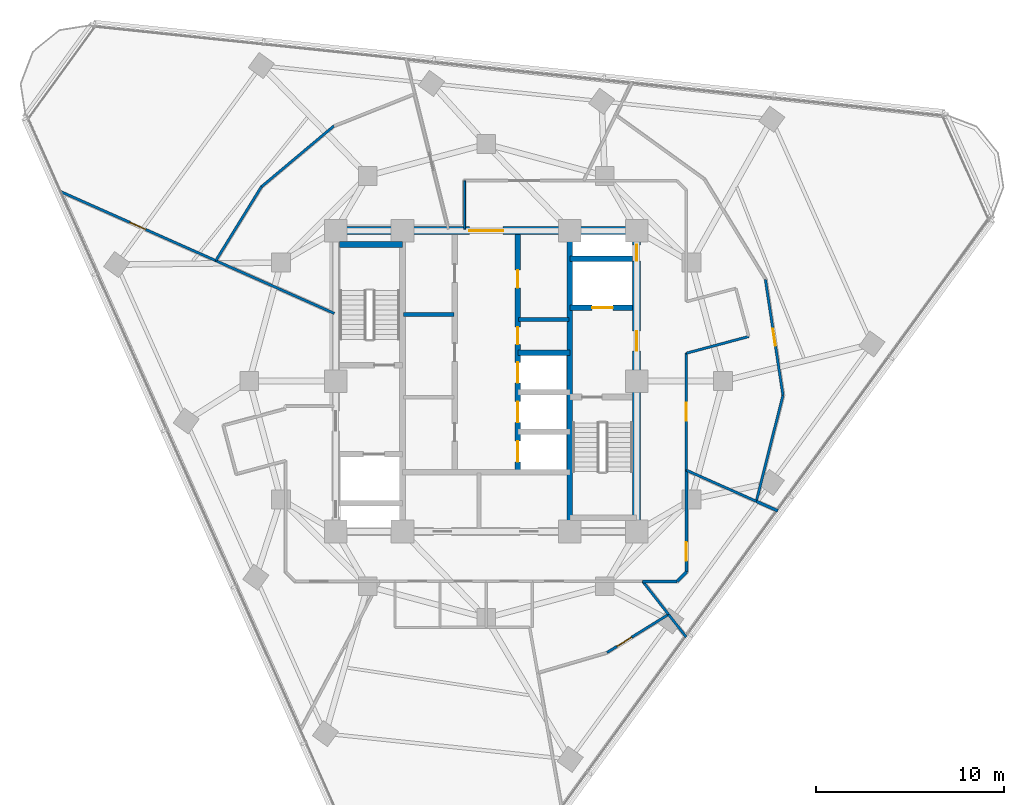
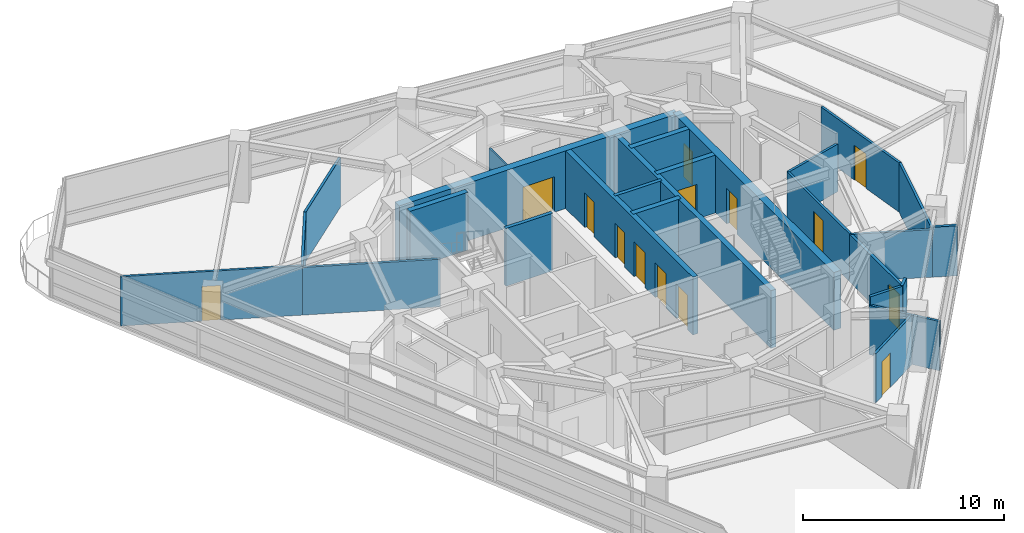
# One storey, part 9 of 15: 27 walls, 14 doors, 14 openings.
"""IFC4 building model written with IfcOpenShell, lengths in metres."""

from ifc_helpers import new_model, si_unit, direction, frame, frame_2d, origin, place, context, subcontext, project, spatial, rectangle, extrude, material, layer, layer_set, type_object, element, fill, save


model = new_model("IFC4")

# Units and contexts
model_context = context("Model", 3, precision=1e-05, world=origin(), true_north=direction((0.0, 1.0)))
body_context = subcontext(model_context, "Body", "Model", "MODEL_VIEW")
ifc_project = project(units=[si_unit("LENGTHUNIT", "METRE"), si_unit("AREAUNIT", "SQUARE_METRE"), si_unit("VOLUMEUNIT", "CUBIC_METRE"), si_unit("PLANEANGLEUNIT", "RADIAN"), si_unit("MASSUNIT", "GRAM", prefix="KILO")], contexts=[model_context])

# Site, building, storey
site_placement = place(None, origin())
site = spatial("IfcSite", under=ifc_project, at=site_placement, CompositionType="ELEMENT")
building_placement = place(site_placement, origin())
building = spatial("IfcBuilding", under=site, at=building_placement, Name="Terralouvre Media Tower", CompositionType="ELEMENT")
storey_placement = place(building_placement, frame((0.0, 0.0, 230.0)))
storey = spatial("IfcBuildingStorey", under=building, at=storey_placement, Name="L59", CompositionType="ELEMENT", Elevation=230.0)

# Walls
ifc_material_1 = material(Name="Concrete C50/60", Category="concrete")
ifc_layer_1 = layer(ifc_material_1, 0.300048828125, Name="Core Internal Shaft Wall CW-300")
ifc_layer_set_1 = layer_set([ifc_layer_1], Name="Concrete C50/60")
wall_type_1 = type_object("IfcWallType", Name="Core Internal Shaft Wall CW-300", PredefinedType="SHEAR", material=ifc_layer_set_1)
wall_1_placement = place(storey_placement, frame((4.449951171875, -7.7900390625, 0.0), z_axis=(0.0, 0.0, 1.0), x_axis=(0.0, 1.0, 0.0)))
element("IfcWall", 1, at=wall_1_placement, inside=storey, type_object=wall_type_1, Name="L59 Core Shaft Wall SPE", PredefinedType="SHEAR", context=body_context, shape_type="SweptSolid", body=[
    extrude(rectangle(XDim=15.580078125, YDim=0.300048828125, at=frame_2d((7.7900390625, 0.0))), origin(), (0.0, 0.0, 1.0), 3.5),
])
wall_2_placement = place(storey_placement, frame((-7.7900390625, 7.260009765625, 0.0), z_axis=(0.0, 0.0, 1.0), x_axis=(1.0, 0.0, 0.0)))
element("IfcWall", 2, at=wall_2_placement, inside=storey, type_object=wall_type_1, Name="L59 Core Shaft Wall ST1F", PredefinedType="SHEAR", context=body_context, shape_type="SweptSolid", body=[
    extrude(rectangle(XDim=3.340087890625, YDim=0.300048828125, at=frame_2d((1.669921875, 0.0))), origin(), (0.0, 0.0, 1.0), 3.5),
])

# Wall, opening, door
wall_3_placement = place(storey_placement, frame((4.449951171875, 3.89990234375, 0.0), z_axis=(0.0, 0.0, 1.0), x_axis=(1.0, 0.0, 0.0)))
wall_3 = element("IfcWall", 3, at=wall_3_placement, inside=storey, type_object=wall_type_1, Name="L59 Core Shaft Wall FF2S", PredefinedType="SHEAR", context=body_context, shape_type="SweptSolid", body=[
    extrude(rectangle(XDim=3.340087890625, YDim=0.300048828125, at=frame_2d((1.669921875, 0.0))), origin(), (0.0, 0.0, 1.0), 3.5),
])
opening_1_placement = place(wall_3_placement, frame((1.179931640625, 0.0, 0.0)))
opening_1 = element("IfcOpeningElement", 4, at=opening_1_placement, cuts=wall_3, Name="Opening LD-FF", PredefinedType="OPENING", context=body_context, shape_type="SweptSolid", body=[
    extrude(rectangle(XDim=1.10009765625, YDim=2.10009765625, at=frame_2d((0.550048828125, 1.050048828125))), frame((0.0, 0.159912109375, 0.0), z_axis=(0.0, -1.0, 0.0), x_axis=(1.0, 0.0, 0.0)), (0.0, 0.0, 1.0), 0.320068359375),
])
ifc_material_2 = material(Name="Stainless steel 316 handrail and balustrade", Category="steel")
door_type_1 = type_object("IfcDoorType", Name="Firefighting Lift Sliding Landing Door LD-FF", OperationType="SLIDING_TO_LEFT", PredefinedType="DOOR", material=ifc_material_2)
door_1_placement = place(opening_1_placement, origin())
door_1 = element("IfcDoor", 5, at=door_1_placement, inside=storey, type_object=door_type_1, Name="L59 Firefighting Lift FFL-02 Landing Door", OperationType="SLIDING_TO_LEFT", OverallHeight=2.10009765625, OverallWidth=1.10009765625, PredefinedType="DOOR", context=body_context, shape_type="SweptSolid", body=[
    extrude(rectangle(XDim=1.10009765625, YDim=2.10009765625, at=frame_2d((0.550048828125, 1.050048828125))), frame((0.0, 0.02490234375, 0.0), z_axis=(0.0, -1.0, 0.0), x_axis=(1.0, 0.0, 0.0)), (0.0, 0.0, 1.0), 0.050048828125),
])
fill(opening_1, door_1)

# Wall
wall_4_placement = place(storey_placement, frame((4.449951171875, 6.5, 0.0), z_axis=(0.0, 0.0, 1.0), x_axis=(1.0, 0.0, 0.0)))
element("IfcWall", 6, at=wall_4_placement, inside=storey, type_object=wall_type_1, Name="L59 Core Shaft Wall FF2N", PredefinedType="SHEAR", context=body_context, shape_type="SweptSolid", body=[
    extrude(rectangle(XDim=3.340087890625, YDim=0.300048828125, at=frame_2d((1.669921875, 0.0))), origin(), (0.0, 0.0, 1.0), 3.5),
])

# Wall, openings, doors
wall_5_placement = place(storey_placement, frame((1.679931640625, -4.85009765625, 0.0), z_axis=(0.0, 0.0, 1.0), x_axis=(0.0, 1.0, 0.0)))
wall_5 = element("IfcWall", 7, at=wall_5_placement, inside=storey, type_object=wall_type_1, Name="L59 Core Shaft Wall LBE", PredefinedType="SHEAR", context=body_context, shape_type="SweptSolid", body=[
    extrude(rectangle(XDim=12.64013671875, YDim=0.300048828125, at=frame_2d((6.320068359375, 0.0))), origin(), (0.0, 0.0, 1.0), 3.5),
])
opening_2_placement = place(wall_5_placement, frame((0.550048828125, 0.0, 0.0)))
opening_2 = element("IfcOpeningElement", 8, at=opening_2_placement, cuts=wall_5, Name="Opening LD-PL", PredefinedType="OPENING", context=body_context, shape_type="SweptSolid", body=[
    extrude(rectangle(XDim=1.10009765625, YDim=2.10009765625, at=frame_2d((0.550048828125, 1.050048828125))), frame((0.0, 0.159912109375, 0.0), z_axis=(0.0, -1.0, 0.0), x_axis=(1.0, 0.0, 0.0)), (0.0, 0.0, 1.0), 0.320068359375),
])
opening_3_placement = place(wall_5_placement, frame((2.64990234375, 0.0, 0.0)))
opening_3 = element("IfcOpeningElement", 9, at=opening_3_placement, cuts=wall_5, Name="Opening LD-PL", PredefinedType="OPENING", context=body_context, shape_type="SweptSolid", body=[
    extrude(rectangle(XDim=1.10009765625, YDim=2.10009765625, at=frame_2d((0.550048828125, 1.050048828125))), frame((0.0, 0.159912109375, 0.0), z_axis=(0.0, -1.0, 0.0), x_axis=(1.0, 0.0, 0.0)), (0.0, 0.0, 1.0), 0.320068359375),
])
opening_4_placement = place(wall_5_placement, frame((4.75, 0.0, 0.0)))
opening_4 = element("IfcOpeningElement", 10, at=opening_4_placement, cuts=wall_5, Name="Opening LD-PL", PredefinedType="OPENING", context=body_context, shape_type="SweptSolid", body=[
    extrude(rectangle(XDim=1.10009765625, YDim=2.10009765625, at=frame_2d((0.550048828125, 1.050048828125))), frame((0.0, 0.159912109375, 0.0), z_axis=(0.0, -1.0, 0.0), x_axis=(1.0, 0.0, 0.0)), (0.0, 0.0, 1.0), 0.320068359375),
])
opening_5_placement = place(wall_5_placement, frame((6.800048828125, 0.0, 0.0)))
opening_5 = element("IfcOpeningElement", 11, at=opening_5_placement, cuts=wall_5, Name="Opening FD-05-92X210", PredefinedType="OPENING", context=body_context, shape_type="SweptSolid", body=[
    extrude(rectangle(XDim=0.919921875, YDim=2.10009765625, at=frame_2d((0.4599609375, 1.050048828125))), frame((0.0, 0.159912109375, 0.0), z_axis=(0.0, -1.0, 0.0), x_axis=(1.0, 0.0, 0.0)), (0.0, 0.0, 1.0), 0.320068359375),
])
opening_6_placement = place(wall_5_placement, frame((9.800048828125, 0.0, 0.0)))
opening_6 = element("IfcOpeningElement", 12, at=opening_6_placement, cuts=wall_5, Name="Opening FD-02-95X210", PredefinedType="OPENING", context=body_context, shape_type="SweptSolid", body=[
    extrude(rectangle(XDim=0.949951171875, YDim=2.10009765625, at=frame_2d((0.47509765625, 1.050048828125))), frame((0.0, 0.159912109375, 0.0), z_axis=(0.0, -1.0, 0.0), x_axis=(1.0, 0.0, 0.0)), (0.0, 0.0, 1.0), 0.320068359375),
])
ifc_material_3 = material(Name="Galvanised steel fire-resisting leaf", Category="steel")
door_type_2 = type_object("IfcDoorType", Name="Core Accessible Closet Fire Door FD-05 (920x2100)", OperationType="NOTDEFINED", PredefinedType="DOOR", material=ifc_material_3)
door_2_placement = place(opening_5_placement, origin())
door_2 = element("IfcDoor", 13, at=door_2_placement, inside=storey, type_object=door_type_2, Name="L59 Core Safe Store Door", OperationType="SINGLE_SWING_LEFT", OverallHeight=2.10009765625, OverallWidth=0.919921875, PredefinedType="DOOR", context=body_context, shape_type="SweptSolid", body=[
    extrude(rectangle(XDim=0.919921875, YDim=2.10009765625, at=frame_2d((0.4599609375, 1.050048828125))), frame((0.0, 0.02490234375, 0.0), z_axis=(0.0, -1.0, 0.0), x_axis=(1.0, 0.0, 0.0)), (0.0, 0.0, 1.0), 0.050048828125),
])
fill(opening_5, door_2)
ifc_material_4 = material(Name="Stainless steel 316 handrail and balustrade", Category="steel")
door_type_3 = type_object("IfcDoorType", Name="Passenger Lift Sliding Landing Door LD-PL", OperationType="SLIDING_TO_LEFT", PredefinedType="DOOR", material=ifc_material_4)
door_3_placement = place(opening_2_placement, origin())
door_3 = element("IfcDoor", 14, at=door_3_placement, inside=storey, type_object=door_type_3, Name="L59 High-Rise Lift PL-H1 Landing Door", OperationType="SLIDING_TO_LEFT", OverallHeight=2.10009765625, OverallWidth=1.10009765625, PredefinedType="DOOR", context=body_context, shape_type="SweptSolid", body=[
    extrude(rectangle(XDim=1.10009765625, YDim=2.10009765625, at=frame_2d((0.550048828125, 1.050048828125))), frame((0.0, 0.02490234375, 0.0), z_axis=(0.0, -1.0, 0.0), x_axis=(1.0, 0.0, 0.0)), (0.0, 0.0, 1.0), 0.050048828125),
])
fill(opening_2, door_3)
door_4_placement = place(opening_3_placement, origin())
door_4 = element("IfcDoor", 15, at=door_4_placement, inside=storey, type_object=door_type_3, Name="L59 High-Rise Lift PL-H2 Landing Door", OperationType="SLIDING_TO_LEFT", OverallHeight=2.10009765625, OverallWidth=1.10009765625, PredefinedType="DOOR", context=body_context, shape_type="SweptSolid", body=[
    extrude(rectangle(XDim=1.10009765625, YDim=2.10009765625, at=frame_2d((0.550048828125, 1.050048828125))), frame((0.0, 0.02490234375, 0.0), z_axis=(0.0, -1.0, 0.0), x_axis=(1.0, 0.0, 0.0)), (0.0, 0.0, 1.0), 0.050048828125),
])
fill(opening_3, door_4)
door_5_placement = place(opening_4_placement, origin())
door_5 = element("IfcDoor", 16, at=door_5_placement, inside=storey, type_object=door_type_3, Name="L59 High-Rise Lift PL-H3 Landing Door", OperationType="SLIDING_TO_LEFT", OverallHeight=2.10009765625, OverallWidth=1.10009765625, PredefinedType="DOOR", context=body_context, shape_type="SweptSolid", body=[
    extrude(rectangle(XDim=1.10009765625, YDim=2.10009765625, at=frame_2d((0.550048828125, 1.050048828125))), frame((0.0, 0.02490234375, 0.0), z_axis=(0.0, -1.0, 0.0), x_axis=(1.0, 0.0, 0.0)), (0.0, 0.0, 1.0), 0.050048828125),
])
fill(opening_4, door_5)
ifc_material_5 = material(Name="Galvanised steel fire-resisting leaf", Category="steel")
door_type_4 = type_object("IfcDoorType", Name="Plant and Riser Fire Door FD-02 (950x2100)", OperationType="NOTDEFINED", PredefinedType="DOOR", material=ifc_material_5)
door_6_placement = place(opening_6_placement, origin())
door_6 = element("IfcDoor", 17, at=door_6_placement, inside=storey, type_object=door_type_4, Name="L59 Core IT Patch Plant Door", OperationType="SINGLE_SWING_RIGHT", OverallHeight=2.10009765625, OverallWidth=0.949951171875, PredefinedType="DOOR", context=body_context, shape_type="SweptSolid", body=[
    extrude(rectangle(XDim=0.949951171875, YDim=2.10009765625, at=frame_2d((0.47509765625, 1.050048828125))), frame((0.0, 0.02490234375, 0.0), z_axis=(0.0, -1.0, 0.0), x_axis=(1.0, 0.0, 0.0)), (0.0, 0.0, 1.0), 0.050048828125),
])
fill(opening_6, door_6)

# Wall
wall_6_placement = place(storey_placement, frame((1.679931640625, 1.5, 0.0), z_axis=(0.0, 0.0, 1.0), x_axis=(1.0, 0.0, 0.0)))
element("IfcWall", 18, at=wall_6_placement, inside=storey, type_object=wall_type_1, Name="L59 Core Shaft Wall PLMBOT", PredefinedType="SHEAR", context=body_context, shape_type="SweptSolid", body=[
    extrude(rectangle(XDim=2.77001953125, YDim=0.300048828125, at=frame_2d((1.385009765625, 0.0))), origin(), (0.0, 0.0, 1.0), 3.5),
])

# Wall, openings, doors
ifc_material_6 = material(Name="Concrete C60/75", Category="concrete")
ifc_layer_2 = layer(ifc_material_6, 0.419921875, Name="Core Reinforced Concrete Shear Wall CW-420")
ifc_layer_set_2 = layer_set([ifc_layer_2], Name="Concrete C60/75")
wall_type_2 = type_object("IfcWallType", Name="Core Reinforced Concrete Shear Wall CW-420", PredefinedType="SHEAR", material=ifc_layer_set_2)
wall_7_placement = place(storey_placement, frame((8.0, -8.0, 0.0), z_axis=(0.0, 0.0, 1.0), x_axis=(0.0, 1.0, 0.0)))
wall_7 = element("IfcWall", 19, at=wall_7_placement, inside=storey, type_object=wall_type_2, Name="L59 E Core Shear Wall", PredefinedType="SHEAR", context=body_context, shape_type="SweptSolid", body=[
    extrude(rectangle(XDim=16.0, YDim=0.419921875, at=frame_2d((8.0, 0.0))), origin(), (0.0, 0.0, 1.0), 3.5),
])
opening_7_placement = place(wall_7_placement, frame((9.60009765625, 0.0, 0.0)))
opening_7 = element("IfcOpeningElement", 20, at=opening_7_placement, cuts=wall_7, Name="Opening FD-01-105X215", PredefinedType="OPENING", context=body_context, shape_type="SweptSolid", body=[
    extrude(rectangle(XDim=1.050048828125, YDim=2.14990234375, at=frame_2d((0.52490234375, 1.074951171875))), frame((0.0, 0.219970703125, 0.0), z_axis=(0.0, -1.0, 0.0), x_axis=(1.0, 0.0, 0.0)), (0.0, 0.0, 1.0), 0.43994140625),
])
opening_8_placement = place(wall_7_placement, frame((14.388671875, 0.0, 0.0)))
opening_8 = element("IfcOpeningElement", 21, at=opening_8_placement, cuts=wall_7, Name="Opening TD-R1", PredefinedType="OPENING", context=body_context, shape_type="SweptSolid", body=[
    extrude(rectangle(XDim=0.85009765625, YDim=2.02001953125, at=frame_2d((0.425048828125, 1.010009765625))), frame((0.0, 0.219970703125, 0.0), z_axis=(0.0, -1.0, 0.0), x_axis=(1.0, 0.0, 0.0)), (0.0, 0.0, 1.0), 0.43994140625),
])
ifc_material_7 = material(Name="Galvanised steel fire-resisting leaf", Category="steel")
door_type_5 = type_object("IfcDoorType", Name="Riser Inspection Access Trapdoor TD-R1", OperationType="NOTDEFINED", PredefinedType="TRAPDOOR", material=ifc_material_7)
door_7_placement = place(opening_8_placement, origin())
door_7 = element("IfcDoor", 22, at=door_7_placement, inside=storey, type_object=door_type_5, Name="L59 East Comms Riser Access Trapdoor", OperationType="SINGLE_SWING_RIGHT", OverallHeight=2.02001953125, OverallWidth=0.85009765625, PredefinedType="TRAPDOOR", context=body_context, shape_type="SweptSolid", body=[
    extrude(rectangle(XDim=0.85009765625, YDim=2.02001953125, at=frame_2d((0.425048828125, 1.010009765625))), frame((0.0, 0.02490234375, 0.0), z_axis=(0.0, -1.0, 0.0), x_axis=(1.0, 0.0, 0.0)), (0.0, 0.0, 1.0), 0.050048828125),
])
fill(opening_8, door_7)
ifc_material_8 = material(Name="Galvanised steel fire-resisting leaf", Category="steel")
door_type_6 = type_object("IfcDoorType", Name="Stair and Firefighting Lobby Fire Door FD-01 (1050x2150)", OperationType="NOTDEFINED", PredefinedType="DOOR", material=ifc_material_8)
door_8_placement = place(opening_7_placement, origin())
door_8 = element("IfcDoor", 23, at=door_8_placement, inside=storey, type_object=door_type_6, Name="L59 East Firefighting Lobby Entry Door", OperationType="SINGLE_SWING_LEFT", OverallHeight=2.14990234375, OverallWidth=1.050048828125, PredefinedType="DOOR", context=body_context, shape_type="SweptSolid", body=[
    extrude(rectangle(XDim=1.050048828125, YDim=2.14990234375, at=frame_2d((0.52490234375, 1.074951171875))), frame((0.0, 0.02490234375, 0.0), z_axis=(0.0, -1.0, 0.0), x_axis=(1.0, 0.0, 0.0)), (0.0, 0.0, 1.0), 0.050048828125),
])
fill(opening_7, door_8)

# Wall, opening, door
wall_8_placement = place(storey_placement, frame((-8.0, 8.0, 0.0), z_axis=(0.0, 0.0, 1.0), x_axis=(1.0, 0.0, 0.0)))
wall_8 = element("IfcWall", 24, at=wall_8_placement, inside=storey, type_object=wall_type_2, Name="L59 N Core Shear Wall", PredefinedType="SHEAR", context=body_context, shape_type="SweptSolid", body=[
    extrude(rectangle(XDim=16.0, YDim=0.419921875, at=frame_2d((8.0, 0.0))), origin(), (0.0, 0.0, 1.0), 3.5),
])
opening_9_placement = place(wall_8_placement, frame((7.10009765625, 0.0, 0.0)))
opening_9 = element("IfcOpeningElement", 25, at=opening_9_placement, cuts=wall_8, Name="Opening FD-03", PredefinedType="OPENING", context=body_context, shape_type="SweptSolid", body=[
    extrude(rectangle(XDim=1.800048828125, YDim=2.14990234375, at=frame_2d((0.89990234375, 1.074951171875))), frame((0.0, 0.219970703125, 0.0), z_axis=(0.0, -1.0, 0.0), x_axis=(1.0, 0.0, 0.0)), (0.0, 0.0, 1.0), 0.43994140625),
])
ifc_material_9 = material(Name="Galvanised steel fire-resisting leaf", Category="steel")
door_type_7 = type_object("IfcDoorType", Name="Corridor Smoke-Control Double Door FD-03", OperationType="DOUBLE_DOOR_SINGLE_SWING", PredefinedType="DOOR", material=ifc_material_9)
door_9_placement = place(opening_9_placement, origin())
door_9 = element("IfcDoor", 26, at=door_9_placement, inside=storey, type_object=door_type_7, Name="L59 Central Lift Lobby Portal Door", OperationType="DOUBLE_DOOR_SINGLE_SWING", OverallHeight=2.14990234375, OverallWidth=1.800048828125, PredefinedType="DOOR", context=body_context, shape_type="SweptSolid", body=[
    extrude(rectangle(XDim=1.800048828125, YDim=2.14990234375, at=frame_2d((0.89990234375, 1.074951171875))), frame((0.0, 0.02490234375, 0.0), z_axis=(0.0, -1.0, 0.0), x_axis=(1.0, 0.0, 0.0)), (0.0, 0.0, 1.0), 0.050048828125),
])
fill(opening_9, door_9)

# Walls
ifc_material_10 = material(Name="Low-iron laminated double glazing with solar-control coating", Category="glass")
ifc_layer_3 = layer(ifc_material_10, 0.10009765625, Name="Demountable Glazed Office Partition PT-GL100")
ifc_layer_set_3 = layer_set([ifc_layer_3], Name="Low-iron laminated double glazing with solar-control coating")
wall_type_3 = type_object("IfcWallType", Name="Demountable Glazed Office Partition PT-GL100", PredefinedType="MOVABLE", material=ifc_layer_set_3)
wall_9_placement = place(storey_placement, frame((-1.14990234375, 10.64990234375, 0.0), z_axis=(0.0, 0.0, 1.0), x_axis=(0.0, -1.0, 0.0)))
element("IfcWall", 27, at=wall_9_placement, inside=storey, type_object=wall_type_3, Name="L59 Interior Partition 024", PredefinedType="MOVABLE", context=body_context, shape_type="SweptSolid", body=[
    extrude(rectangle(XDim=2.56982421875, YDim=0.10009765625, at=frame_2d((1.284912109375, 0.0))), origin(), (0.0, 0.0, 1.0), 2.885009765625),
])
ifc_material_11 = material(Name="Fire-rated gypsum board drywall partition")
ifc_layer_4 = layer(ifc_material_11, 0.199951171875, Name="Fire-Rated Shaft and Lobby Partition FW-200")
ifc_layer_set_4 = layer_set([ifc_layer_4], Name="Fire-rated gypsum board drywall partition")
wall_type_4 = type_object("IfcWallType", Name="Fire-Rated Shaft and Lobby Partition FW-200", PredefinedType="SOLIDWALL", material=ifc_layer_set_4)
for number, where, z_axis, x_axis, name in (
    (28, (-4.39990234375, 3.5400390625, 0.0), (0.0, 0.0, 1.0), (1.0, 0.0, 0.0), "L59 Core West Sub-Partition 2"),
    (29, (1.719970703125, 3.27001953125, 0.0), (0.0, 0.0, 1.0), (1.0, 0.0, 0.0), "L59 Core East Sub-Partition 1"),
):
    element("IfcWall", number, at=place(storey_placement, frame(where, z_axis=z_axis, x_axis=x_axis)), inside=storey, type_object=wall_type_4, Name=name, PredefinedType="SOLIDWALL", context=body_context, shape_type="SweptSolid", body=[
        extrude(rectangle(XDim=2.679931640625, YDim=0.199951171875, at=frame_2d((1.33984375, 0.0))), origin(), (0.0, 0.0, 1.0), 3.5),
    ])

# Wall, opening, door
ifc_material_12 = material(Name="Fire-rated gypsum board drywall partition")
ifc_layer_5 = layer(ifc_material_12, 0.135009765625, Name="Newsroom Acoustic Partition PT-135")
ifc_layer_set_5 = layer_set([ifc_layer_5], Name="Fire-rated gypsum board drywall partition")
wall_type_5 = type_object("IfcWallType", Name="Newsroom Acoustic Partition PT-135", PredefinedType="PARTITIONING", material=ifc_layer_set_5)
wall_10_placement = place(storey_placement, frame((10.64990234375, -4.741943359375, 0.0), z_axis=(0.0, 0.0, 1.0), x_axis=(0.0, 1.0, 0.0)))
wall_10 = element("IfcWall", 30, at=wall_10_placement, inside=storey, type_object=wall_type_5, Name="L59 Interior Partition 008", PredefinedType="PARTITIONING", context=body_context, shape_type="SweptSolid", body=[
    extrude(rectangle(XDim=6.223876953125, YDim=0.135009765625, at=frame_2d((3.11181640625, 0.0))), origin(), (0.0, 0.0, 1.0), 2.885009765625),
])
opening_10_placement = place(wall_10_placement, frame((2.636962890625, 0.0, 0.0)))
opening_10 = element("IfcOpeningElement", 31, at=opening_10_placement, cuts=wall_10, Name="Opening ID-02-95X210", PredefinedType="OPENING", context=body_context, shape_type="SweptSolid", body=[
    extrude(rectangle(XDim=0.949951171875, YDim=2.10009765625, at=frame_2d((0.47509765625, 1.050048828125))), frame((0.0, 0.077392578125, 0.0), z_axis=(0.0, -1.0, 0.0), x_axis=(1.0, 0.0, 0.0)), (0.0, 0.0, 1.0), 0.155029296875),
])
ifc_material_13 = material(Name="Engineered hardwood acoustic timber leaf", Category="wood")
door_type_8 = type_object("IfcDoorType", Name="Office and Meeting Room Door ID-02 (950x2100)", OperationType="NOTDEFINED", PredefinedType="DOOR", material=ifc_material_13)
door_10_placement = place(opening_10_placement, origin())
door_10 = element("IfcDoor", 32, at=door_10_placement, inside=storey, type_object=door_type_8, Name="L59 Public Records Archive Storage 2 Door", OperationType="SINGLE_SWING_LEFT", OverallHeight=2.10009765625, OverallWidth=0.949951171875, PredefinedType="DOOR", context=body_context, shape_type="SweptSolid", body=[
    extrude(rectangle(XDim=0.949951171875, YDim=2.10009765625, at=frame_2d((0.47509765625, 1.050048828125))), frame((0.0, 0.02490234375, 0.0), z_axis=(0.0, -1.0, 0.0), x_axis=(1.0, 0.0, 0.0)), (0.0, 0.0, 1.0), 0.050048828125),
])
fill(opening_10, door_10)

# Walls
wall_11_placement = place(storey_placement, frame((10.64990234375, 1.48193359375, 0.0), z_axis=(0.0, 0.0, 1.0), x_axis=(0.965961397105, 0.2586862565, 0.0)))
element("IfcWall", 33, at=wall_11_placement, inside=storey, type_object=wall_type_5, Name="L59 Interior Partition 009", PredefinedType="PARTITIONING", context=body_context, shape_type="SweptSolid", body=[
    extrude(rectangle(XDim=3.4287109375, YDim=0.135009765625, at=frame_2d((1.71435546875, 0.0))), origin(), (0.0, 0.0, 1.0), 2.885009765625),
])
wall_12_placement = place(storey_placement, frame((-8.080078125, 3.59716796875, 0.0), z_axis=(0.0, 0.0, 1.0), x_axis=(-0.913494385598, 0.40685133339, 0.0)))
element("IfcWall", 34, at=wall_12_placement, inside=storey, type_object=wall_type_5, Name="L59 Interior Partition 026", PredefinedType="PARTITIONING", context=body_context, shape_type="SweptSolid", body=[
    extrude(rectangle(XDim=6.894287109375, YDim=0.135009765625, at=frame_2d((3.447265625, 0.0))), origin(), (0.0, 0.0, 1.0), 2.885009765625),
])

# Wall, opening, door
wall_13_placement = place(storey_placement, frame((-14.3779296875, 6.402099609375, 0.0), z_axis=(0.0, 0.0, 1.0), x_axis=(-0.913562917951, 0.406697424315, 0.0)))
wall_13 = element("IfcWall", 35, at=wall_13_placement, inside=storey, type_object=wall_type_5, Name="L59 Interior Partition 027", PredefinedType="PARTITIONING", context=body_context, shape_type="SweptSolid", body=[
    extrude(rectangle(XDim=9.07666015625, YDim=0.135009765625, at=frame_2d((4.538330078125, 0.0))), origin(), (0.0, 0.0, 1.0), 2.985107421875),
])
opening_11_placement = place(wall_13_placement, frame((4.078369140625, 0.0, 0.0)))
opening_11 = element("IfcOpeningElement", 36, at=opening_11_placement, cuts=wall_13, Name="Opening FD-05-92X210", PredefinedType="OPENING", context=body_context, shape_type="SweptSolid", body=[
    extrude(rectangle(XDim=0.919921875, YDim=2.10009765625, at=frame_2d((0.4599609375, 1.050048828125))), frame((0.0, 0.077392578125, 0.0), z_axis=(0.0, -1.0, 0.0), x_axis=(1.0, 0.0, 0.0)), (0.0, 0.0, 1.0), 0.155029296875),
])
door_11_placement = place(opening_11_placement, origin())
door_11 = element("IfcDoor", 37, at=door_11_placement, inside=storey, type_object=door_type_2, Name="L59 Encrypted Air-Gap Server Room 10 Door", OperationType="SINGLE_SWING_RIGHT", OverallHeight=2.10009765625, OverallWidth=0.919921875, PredefinedType="DOOR", context=body_context, shape_type="SweptSolid", body=[
    extrude(rectangle(XDim=0.919921875, YDim=2.10009765625, at=frame_2d((0.4599609375, 1.050048828125))), frame((0.0, 0.02490234375, 0.0), z_axis=(0.0, -1.0, 0.0), x_axis=(1.0, 0.0, 0.0)), (0.0, 0.0, 1.0), 0.050048828125),
])
fill(opening_11, door_11)

# Walls
wall_14_placement = place(storey_placement, frame((10.64990234375, -4.741943359375, 0.0), z_axis=(0.0, 0.0, 1.0), x_axis=(0.913556239153, -0.406712426544, 0.0)))
element("IfcWall", 38, at=wall_14_placement, inside=storey, type_object=wall_type_5, Name="L59 Interior Partition 028", PredefinedType="PARTITIONING", context=body_context, shape_type="SweptSolid", body=[
    extrude(rectangle(XDim=4.064453125, YDim=0.135009765625, at=frame_2d((2.0322265625, 0.0))), origin(), (0.0, 0.0, 1.0), 2.885009765625),
])
wall_15_placement = place(storey_placement, frame((14.363037109375, -6.39501953125, 0.0), z_axis=(0.0, 0.0, 1.0), x_axis=(0.244106617879, 0.969748399899, 0.0)))
element("IfcWall", 39, at=wall_15_placement, inside=storey, type_object=wall_type_5, Name="L59 Interior Partition 029", PredefinedType="PARTITIONING", context=body_context, shape_type="SweptSolid", body=[
    extrude(rectangle(XDim=5.812744140625, YDim=0.135009765625, at=frame_2d((2.90625, 0.0))), origin(), (0.0, 0.0, 1.0), 2.985107421875),
])

# Wall, opening, door
wall_16_placement = place(storey_placement, frame((15.781982421875, -0.758056640625, 0.0), z_axis=(0.0, 0.0, 1.0), x_axis=(-0.150025845784, 0.988682075086, 0.0)))
wall_16 = element("IfcWall", 40, at=wall_16_placement, inside=storey, type_object=wall_type_5, Name="L59 Interior Partition 030", PredefinedType="PARTITIONING", context=body_context, shape_type="SweptSolid", body=[
    extrude(rectangle(XDim=6.232666015625, YDim=0.135009765625, at=frame_2d((3.1162109375, 0.0))), origin(), (0.0, 0.0, 1.0), 2.985107421875),
])
opening_12_placement = place(wall_16_placement, frame((2.65625, 0.0, 0.0)))
opening_12 = element("IfcOpeningElement", 41, at=opening_12_placement, cuts=wall_16, Name="Opening ID-03-92X210", PredefinedType="OPENING", context=body_context, shape_type="SweptSolid", body=[
    extrude(rectangle(XDim=0.919921875, YDim=2.10009765625, at=frame_2d((0.4599609375, 1.050048828125))), frame((0.0, 0.077392578125, 0.0), z_axis=(0.0, -1.0, 0.0), x_axis=(1.0, 0.0, 0.0)), (0.0, 0.0, 1.0), 0.155029296875),
])
ifc_material_14 = material(Name="Engineered hardwood acoustic timber leaf", Category="wood")
door_type_9 = type_object("IfcDoorType", Name="Accessible Restroom and Suite Door ID-03 (920x2100)", OperationType="NOTDEFINED", PredefinedType="DOOR", material=ifc_material_14)
door_12_placement = place(opening_12_placement, origin())
door_12 = element("IfcDoor", 42, at=door_12_placement, inside=storey, type_object=door_type_9, Name="L59 Source Briefing Interview Room 7 Door", OperationType="SINGLE_SWING_RIGHT", OverallHeight=2.10009765625, OverallWidth=0.919921875, PredefinedType="DOOR", context=body_context, shape_type="SweptSolid", body=[
    extrude(rectangle(XDim=0.919921875, YDim=2.10009765625, at=frame_2d((0.4599609375, 1.050048828125))), frame((0.0, 0.02490234375, 0.0), z_axis=(0.0, -1.0, 0.0), x_axis=(1.0, 0.0, 0.0)), (0.0, 0.0, 1.0), 0.050048828125),
])
fill(opening_12, door_12)

wall_17_placement = place(storey_placement, frame((9.696044921875, -12.410888671875, 0.0), z_axis=(0.0, 0.0, 1.0), x_axis=(-0.850393663863, -0.526146953295, 0.0)))
wall_17 = element("IfcWall", 43, at=wall_17_placement, inside=storey, type_object=wall_type_5, Name="L59 Interior Partition 043", PredefinedType="PARTITIONING", context=body_context, shape_type="SweptSolid", body=[
    extrude(rectangle(XDim=3.84521484375, YDim=0.135009765625, at=frame_2d((1.922607421875, 0.0))), origin(), (0.0, 0.0, 1.0), 2.985107421875),
])
opening_13_placement = place(wall_17_placement, frame((2.30859375, 0.0, 0.0)))
opening_13 = element("IfcOpeningElement", 44, at=opening_13_placement, cuts=wall_17, Name="Opening ID-03-92X210", PredefinedType="OPENING", context=body_context, shape_type="SweptSolid", body=[
    extrude(rectangle(XDim=0.919921875, YDim=2.10009765625, at=frame_2d((0.4599609375, 1.050048828125))), frame((0.0, 0.077392578125, 0.0), z_axis=(0.0, -1.0, 0.0), x_axis=(1.0, 0.0, 0.0)), (0.0, 0.0, 1.0), 0.155029296875),
])
door_13_placement = place(opening_13_placement, origin())
door_13 = element("IfcDoor", 45, at=door_13_placement, inside=storey, type_object=door_type_9, Name="L59 Investigative Desk Open Office 4 Door", OperationType="SINGLE_SWING_LEFT", OverallHeight=2.10009765625, OverallWidth=0.919921875, PredefinedType="DOOR", context=body_context, shape_type="SweptSolid", body=[
    extrude(rectangle(XDim=0.919921875, YDim=2.10009765625, at=frame_2d((0.4599609375, 1.050048828125))), frame((0.0, 0.02490234375, 0.0), z_axis=(0.0, -1.0, 0.0), x_axis=(1.0, 0.0, 0.0)), (0.0, 0.0, 1.0), 0.050048828125),
])
fill(opening_13, door_13)

# Walls
wall_18_placement = place(storey_placement, frame((10.634765625, -13.612060546875, 0.0), z_axis=(0.0, 0.0, 1.0), x_axis=(-0.615768345532, 0.787927245779, 0.0)))
element("IfcWall", 46, at=wall_18_placement, inside=storey, type_object=wall_type_5, Name="L59 Interior Partition 045", PredefinedType="PARTITIONING", context=body_context, shape_type="SweptSolid", body=[
    extrude(rectangle(XDim=1.5244140625, YDim=0.135009765625, at=frame_2d((0.76220703125, 0.0))), origin(), (0.0, 0.0, 1.0), 2.985107421875),
])
wall_19_placement = place(storey_placement, frame((9.696044921875, -12.410888671875, 0.0), z_axis=(0.0, 0.0, 1.0), x_axis=(-0.615429845305, 0.788191668002, 0.0)))
element("IfcWall", 47, at=wall_19_placement, inside=storey, type_object=wall_type_5, Name="L59 Interior Partition 046", PredefinedType="PARTITIONING", context=body_context, shape_type="SweptSolid", body=[
    extrude(rectangle(XDim=2.234130859375, YDim=0.135009765625, at=frame_2d((1.1171875, 0.0))), origin(), (0.0, 0.0, 1.0), 2.985107421875),
])
wall_20_placement = place(storey_placement, frame((-8.097900390625, 13.56689453125, 0.0), z_axis=(0.0, 0.0, 1.0), x_axis=(-0.766114520239, -0.642704085781, 0.0)))
element("IfcWall", 48, at=wall_20_placement, inside=storey, type_object=wall_type_5, Name="L59 Interior Partition 052", PredefinedType="PARTITIONING", context=body_context, shape_type="SweptSolid", body=[
    extrude(rectangle(XDim=5.03466796875, YDim=0.135009765625, at=frame_2d((2.517333984375, 0.0))), origin(), (0.0, 0.0, 1.0), 2.985107421875),
])
wall_21_placement = place(storey_placement, frame((-11.955078125, 10.3310546875, 0.0), z_axis=(0.0, 0.0, 1.0), x_axis=(-0.524888064347, -0.851171263557, 0.0)))
element("IfcWall", 49, at=wall_21_placement, inside=storey, type_object=wall_type_5, Name="L59 Interior Partition 053", PredefinedType="PARTITIONING", context=body_context, shape_type="SweptSolid", body=[
    extrude(rectangle(XDim=4.615966796875, YDim=0.135009765625, at=frame_2d((2.30810546875, 0.0))), origin(), (0.0, 0.0, 1.0), 2.985107421875),
])
ifc_material_15 = material(Name="Fire-rated gypsum board drywall partition")
ifc_layer_6 = layer(ifc_material_15, 0.159912109375, Name="Studio Acoustic Rated Partition PT-160")
ifc_layer_set_6 = layer_set([ifc_layer_6], Name="Fire-rated gypsum board drywall partition")
wall_type_6 = type_object("IfcWallType", Name="Studio Acoustic Rated Partition PT-160", PredefinedType="PARTITIONING", material=ifc_layer_set_6)
wall_22_placement = place(storey_placement, frame((8.321044921875, -10.64990234375, 0.0), z_axis=(0.0, 0.0, 1.0), x_axis=(1.0, 0.0, 0.0)))
element("IfcWall", 50, at=wall_22_placement, inside=storey, type_object=wall_type_6, Name="L59 Interior Partition 020", PredefinedType="PARTITIONING", context=body_context, shape_type="SweptSolid", body=[
    extrude(rectangle(XDim=1.828857421875, YDim=0.159912109375, at=frame_2d((0.91455078125, 0.0))), origin(), (0.0, 0.0, 1.0), 3.5),
])
wall_23_placement = place(storey_placement, frame((10.14990234375, -10.64990234375, 0.0), z_axis=(0.0, 0.0, 1.0), x_axis=(0.707106781187, 0.707106781187, 0.0)))
element("IfcWall", 51, at=wall_23_placement, inside=storey, type_object=wall_type_6, Name="L59 Interior Partition 021", PredefinedType="PARTITIONING", context=body_context, shape_type="SweptSolid", body=[
    extrude(rectangle(XDim=0.70703125, YDim=0.159912109375, at=frame_2d((0.353515625, 0.0))), origin(), (0.0, 0.0, 1.0), 3.5),
])

# Wall, opening, door
wall_24_placement = place(storey_placement, frame((10.64990234375, -10.14990234375, 0.0), z_axis=(0.0, 0.0, 1.0), x_axis=(0.0, 1.0, 0.0)))
wall_24 = element("IfcWall", 52, at=wall_24_placement, inside=storey, type_object=wall_type_6, Name="L59 Interior Partition 022", PredefinedType="PARTITIONING", context=body_context, shape_type="SweptSolid", body=[
    extrude(rectangle(XDim=5.407958984375, YDim=0.159912109375, at=frame_2d((2.7041015625, 0.0))), origin(), (0.0, 0.0, 1.0), 2.885009765625),
])
opening_14_placement = place(wall_24_placement, frame((0.58154296875, 0.0, 0.0)))
opening_14 = element("IfcOpeningElement", 53, at=opening_14_placement, cuts=wall_24, Name="Opening ID-01-100X215", PredefinedType="OPENING", context=body_context, shape_type="SweptSolid", body=[
    extrude(rectangle(XDim=1.0, YDim=2.14990234375, at=frame_2d((0.5, 1.074951171875))), frame((0.0, 0.08984375, 0.0), z_axis=(0.0, -1.0, 0.0), x_axis=(1.0, 0.0, 0.0)), (0.0, 0.0, 1.0), 0.179931640625),
])
ifc_material_16 = material(Name="Engineered hardwood acoustic timber leaf", Category="wood")
door_type_10 = type_object("IfcDoorType", Name="Broadcast Studio Acoustic Single Door ID-01 (1000x2150)", OperationType="NOTDEFINED", PredefinedType="DOOR", material=ifc_material_16)
door_14_placement = place(opening_14_placement, origin())
door_14 = element("IfcDoor", 54, at=door_14_placement, inside=storey, type_object=door_type_10, Name="L59 OSINT Verification Control Room 6 Door", OperationType="SINGLE_SWING_RIGHT", OverallHeight=2.14990234375, OverallWidth=1.0, PredefinedType="DOOR", context=body_context, shape_type="SweptSolid", body=[
    extrude(rectangle(XDim=1.0, YDim=2.14990234375, at=frame_2d((0.5, 1.074951171875))), frame((0.0, 0.02490234375, 0.0), z_axis=(0.0, -1.0, 0.0), x_axis=(1.0, 0.0, 0.0)), (0.0, 0.0, 1.0), 0.050048828125),
])
fill(opening_14, door_14)

# Wall
wall_25_placement = place(storey_placement, frame((15.508056640625, -6.904541015625, 0.0), z_axis=(0.0, 0.0, 1.0), x_axis=(-0.913626692327, 0.406554137929, 0.0)))
element("IfcWall", 55, at=wall_25_placement, inside=storey, type_object=wall_type_6, Name="L59 Interior Partition 047", PredefinedType="PARTITIONING", context=body_context, shape_type="SweptSolid", body=[
    extrude(rectangle(XDim=1.253173828125, YDim=0.159912109375, at=frame_2d((0.62646484375, 0.0))), origin(), (0.0, 0.0, 1.0), 3.034912109375),
])

save(model, "model.ifc")
